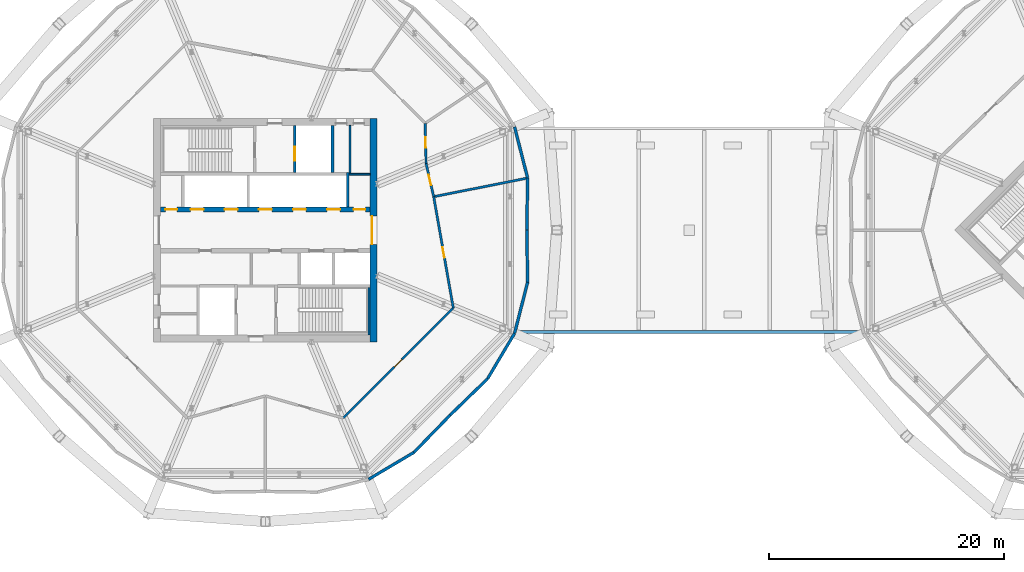
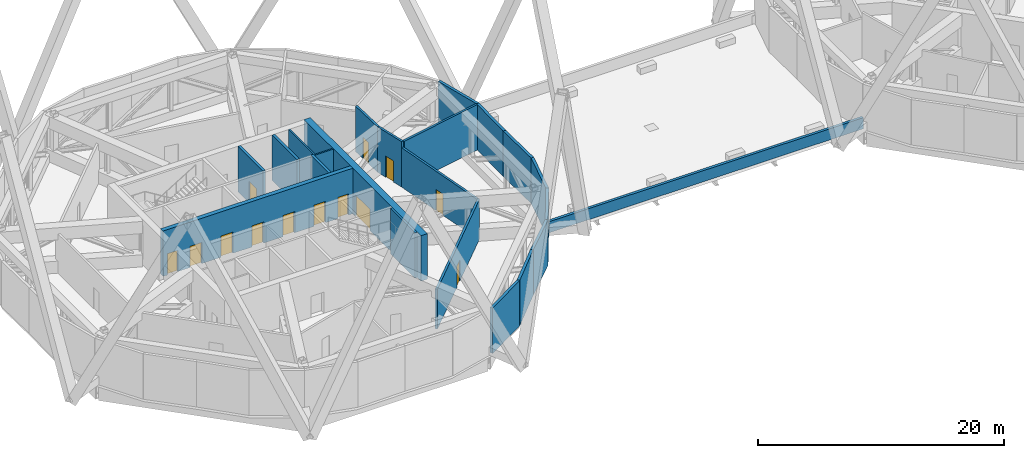
# One storey, part 13 of 20: 22 walls, 13 doors, 13 openings.
"""IFC4 building model written with IfcOpenShell, lengths in metres."""

from ifc_helpers import new_model, si_unit, direction, frame, frame_2d, origin, place, context, subcontext, project, spatial, rectangle, extrude, material, layer, layer_set, type_object, element, fill, save


model = new_model("IFC4")

# Units and contexts
model_context = context("Model", 3, precision=1e-05, world=origin(), true_north=direction((0.0, 1.0)))
body_context = subcontext(model_context, "Body", "Model", "MODEL_VIEW")
ifc_project = project(units=[si_unit("LENGTHUNIT", "METRE"), si_unit("AREAUNIT", "SQUARE_METRE"), si_unit("VOLUMEUNIT", "CUBIC_METRE"), si_unit("PLANEANGLEUNIT", "RADIAN"), si_unit("MASSUNIT", "GRAM", prefix="KILO")], contexts=[model_context])

# Site, building, storey
site_placement = place(None, origin())
site = spatial("IfcSite", under=ifc_project, at=site_placement, CompositionType="ELEMENT")
building_placement = place(site_placement, origin())
building = spatial("IfcBuilding", under=site, at=building_placement, Name="Ogive Gate Towers", CompositionType="ELEMENT")
storey_placement = place(building_placement, frame((0.0, 0.0, 160.800048828125)))
storey = spatial("IfcBuildingStorey", under=building, at=storey_placement, Name="L38", CompositionType="ELEMENT", Elevation=160.800048828125)

# Wall
ifc_material_1 = material(Name="Fire-rated block compartment wall")
ifc_layer_1 = layer(ifc_material_1, 0.199951171875)
ifc_layer_set_1 = layer_set([ifc_layer_1], Name="Compartment wall 200")
wall_type_1 = type_object("IfcWallType", Name="Compartment wall 200", PredefinedType="PARTITIONING", material=ifc_layer_set_1)
wall_1_placement = place(storey_placement, frame((-13.69580078125, 4.428466796875, 0.0), z_axis=(0.0, 0.0, 1.0), x_axis=(-0.980851214843, -0.194758553963, 0.0)))
element("IfcWall", 1, at=wall_1_placement, inside=storey, type_object=wall_type_1, Name="Partition T1-L38-001", PredefinedType="PARTITIONING", context=body_context, shape_type="SweptSolid", body=[
    extrude(rectangle(XDim=8.05908203125, YDim=0.199951171875, at=frame_2d((4.029541015625, 0.0))), origin(), (0.0, 0.0, 1.0), 4.5),
])

# Wall, opening, door
wall_2_placement = place(storey_placement, frame((-29.386962890625, -15.965576171875, 0.0), z_axis=(0.0, 0.0, 1.0), x_axis=(0.707106781187, 0.707106781187, 0.0)))
wall_2 = element("IfcWall", 2, at=wall_2_placement, inside=storey, type_object=wall_type_1, Name="Partition T1-L38-013", PredefinedType="PARTITIONING", context=body_context, shape_type="SweptSolid", body=[
    extrude(rectangle(XDim=13.2265625, YDim=0.199951171875, at=frame_2d((6.61328125, 0.0))), origin(), (0.0, 0.0, 1.0), 3.949951171875),
])
opening_1_placement = place(wall_2_placement, frame((6.14990234375, 0.0, 0.0)))
opening_1 = element("IfcOpeningElement", 3, at=opening_1_placement, cuts=wall_2, Name="Opening T1-L38-D09", PredefinedType="OPENING", context=body_context, shape_type="SweptSolid", body=[
    extrude(rectangle(XDim=0.89990234375, YDim=2.10009765625, at=frame_2d((0.449951171875, 1.050048828125))), frame((0.0, 0.10986328125, 0.0), z_axis=(0.0, -1.0, 0.0), x_axis=(1.0, 0.0, 0.0)), (0.0, 0.0, 1.0), 0.219970703125),
])
ifc_material_2 = material(Name="Steel fire door", Category="steel")
door_type_1 = type_object("IfcDoorType", Name="Fire door 900 FD30S", OperationType="NOTDEFINED", PredefinedType="DOOR", material=ifc_material_2)
door_1_placement = place(opening_1_placement, origin())
door_1 = element("IfcDoor", 4, at=door_1_placement, inside=storey, type_object=door_type_1, Name="Door T1-L38-D09", OperationType="SINGLE_SWING_RIGHT", OverallHeight=2.10009765625, OverallWidth=0.89990234375, PredefinedType="DOOR", context=body_context, shape_type="SweptSolid", body=[
    extrude(rectangle(XDim=0.89990234375, YDim=2.10009765625, at=frame_2d((0.449951171875, 1.050048828125))), frame((0.0, 0.02490234375, 0.0), z_axis=(0.0, -1.0, 0.0), x_axis=(1.0, 0.0, 0.0)), (0.0, 0.0, 1.0), 0.050048828125),
])
fill(opening_1, door_1)

wall_3_placement = place(storey_placement, frame((-20.034423828125, -6.613037109375, 0.0), z_axis=(0.0, 0.0, 1.0), x_axis=(-0.17337611342, 0.984855686532, 0.0)))
wall_3 = element("IfcWall", 5, at=wall_3_placement, inside=storey, type_object=wall_type_1, Name="Partition T1-L38-014", PredefinedType="PARTITIONING", context=body_context, shape_type="SweptSolid", body=[
    extrude(rectangle(XDim=9.597900390625, YDim=0.199951171875, at=frame_2d((4.798828125, 0.0))), origin(), (0.0, 0.0, 1.0), 3.89990234375),
])
opening_2_placement = place(wall_3_placement, frame((4.35009765625, 0.0, 0.0)))
opening_2 = element("IfcOpeningElement", 6, at=opening_2_placement, cuts=wall_3, Name="Opening T1-L38-D10", PredefinedType="OPENING", context=body_context, shape_type="SweptSolid", body=[
    extrude(rectangle(XDim=0.89990234375, YDim=2.10009765625, at=frame_2d((0.449951171875, 1.050048828125))), frame((0.0, 0.10986328125, 0.0), z_axis=(0.0, -1.0, 0.0), x_axis=(1.0, 0.0, 0.0)), (0.0, 0.0, 1.0), 0.219970703125),
])
door_2_placement = place(opening_2_placement, origin())
door_2 = element("IfcDoor", 7, at=door_2_placement, inside=storey, type_object=door_type_1, Name="Door T1-L38-D10", OperationType="SINGLE_SWING_LEFT", OverallHeight=2.10009765625, OverallWidth=0.89990234375, PredefinedType="DOOR", context=body_context, shape_type="SweptSolid", body=[
    extrude(rectangle(XDim=0.89990234375, YDim=2.10009765625, at=frame_2d((0.449951171875, 1.050048828125))), frame((0.0, 0.02490234375, 0.0), z_axis=(0.0, -1.0, 0.0), x_axis=(1.0, 0.0, 0.0)), (0.0, 0.0, 1.0), 0.050048828125),
])
fill(opening_2, door_2)

wall_4_placement = place(storey_placement, frame((-21.698486328125, 2.839599609375, 0.0), z_axis=(0.0, 0.0, 1.0), x_axis=(-0.223366123184, 0.974734617736, 0.0)))
wall_4 = element("IfcWall", 8, at=wall_4_placement, inside=storey, type_object=wall_type_1, Name="Partition T1-L38-015", PredefinedType="PARTITIONING", context=body_context, shape_type="SweptSolid", body=[
    extrude(rectangle(XDim=2.889892578125, YDim=0.199951171875, at=frame_2d((1.44482421875, 0.0))), origin(), (0.0, 0.0, 1.0), 4.5),
])
opening_3_placement = place(wall_4_placement, frame((1.0, 0.0, 0.0)))
opening_3 = element("IfcOpeningElement", 9, at=opening_3_placement, cuts=wall_4, Name="Opening T1-L38-D11", PredefinedType="OPENING", context=body_context, shape_type="SweptSolid", body=[
    extrude(rectangle(XDim=0.89990234375, YDim=2.10009765625, at=frame_2d((0.449951171875, 1.050048828125))), frame((0.0, 0.10986328125, 0.0), z_axis=(0.0, -1.0, 0.0), x_axis=(1.0, 0.0, 0.0)), (0.0, 0.0, 1.0), 0.219970703125),
])
door_3_placement = place(opening_3_placement, origin())
door_3 = element("IfcDoor", 10, at=door_3_placement, inside=storey, type_object=door_type_1, Name="Door T1-L38-D11", OperationType="SINGLE_SWING_RIGHT", OverallHeight=2.10009765625, OverallWidth=0.89990234375, PredefinedType="DOOR", context=body_context, shape_type="SweptSolid", body=[
    extrude(rectangle(XDim=0.89990234375, YDim=2.10009765625, at=frame_2d((0.449951171875, 1.050048828125))), frame((0.0, 0.02490234375, 0.0), z_axis=(0.0, -1.0, 0.0), x_axis=(1.0, 0.0, 0.0)), (0.0, 0.0, 1.0), 0.050048828125),
])
fill(opening_3, door_3)

wall_5_placement = place(storey_placement, frame((-22.343994140625, 5.656494140625, 0.0), z_axis=(0.0, 0.0, 1.0), x_axis=(-0.023616020915, 0.999721102886, 0.0)))
wall_5 = element("IfcWall", 11, at=wall_5_placement, inside=storey, type_object=wall_type_1, Name="Partition T1-L38-016", PredefinedType="PARTITIONING", context=body_context, shape_type="SweptSolid", body=[
    extrude(rectangle(XDim=3.421875, YDim=0.199951171875, at=frame_2d((1.7109375, 0.0))), origin(), (0.0, 0.0, 1.0), 4.5),
])
opening_4_placement = place(wall_5_placement, frame((1.344970703125, 0.0, 0.0)))
opening_4 = element("IfcOpeningElement", 12, at=opening_4_placement, cuts=wall_5, Name="Opening T1-L38-D12", PredefinedType="OPENING", context=body_context, shape_type="SweptSolid", body=[
    extrude(rectangle(XDim=0.89990234375, YDim=2.10009765625, at=frame_2d((0.449951171875, 1.050048828125))), frame((0.0, 0.10986328125, 0.0), z_axis=(0.0, -1.0, 0.0), x_axis=(1.0, 0.0, 0.0)), (0.0, 0.0, 1.0), 0.219970703125),
])
door_4_placement = place(opening_4_placement, origin())
door_4 = element("IfcDoor", 13, at=door_4_placement, inside=storey, type_object=door_type_1, Name="Door T1-L38-D12", OperationType="SINGLE_SWING_LEFT", OverallHeight=2.10009765625, OverallWidth=0.89990234375, PredefinedType="DOOR", context=body_context, shape_type="SweptSolid", body=[
    extrude(rectangle(XDim=0.89990234375, YDim=2.10009765625, at=frame_2d((0.449951171875, 1.050048828125))), frame((0.0, 0.02490234375, 0.0), z_axis=(0.0, -1.0, 0.0), x_axis=(1.0, 0.0, 0.0)), (0.0, 0.0, 1.0), 0.050048828125),
])
fill(opening_4, door_4)

ifc_material_3 = material(Name="Concrete C60/75", Category="concrete")
ifc_layer_2 = layer(ifc_material_3, 0.60009765625)
ifc_layer_set_2 = layer_set([ifc_layer_2], Name="Core wall 600 mm")
wall_type_2 = type_object("IfcWallType", Name="Core wall 600 mm", PredefinedType="SHEAR", material=ifc_layer_set_2)
wall_6_placement = place(storey_placement, frame((-26.800048828125, -9.5, 0.0), z_axis=(0.0, 0.0, 1.0), x_axis=(0.0, 1.0, 0.0)))
wall_6 = element("IfcWall", 14, at=wall_6_placement, inside=storey, type_object=wall_type_2, Name="T1 L38 Core wall 600 mm", PredefinedType="SHEAR", context=body_context, shape_type="SweptSolid", body=[
    extrude(rectangle(XDim=19.0, YDim=0.60009765625, at=frame_2d((9.5, 0.0))), origin(), (0.0, 0.0, 1.0), 4.5),
])
opening_5_placement = place(wall_6_placement, frame((8.300048828125, 0.0, 0.0)))
opening_5 = element("IfcOpeningElement", 15, at=opening_5_placement, cuts=wall_6, Name="Opening KD-T1-L38-02", PredefinedType="OPENING", context=body_context, shape_type="SweptSolid", body=[
    extrude(rectangle(XDim=2.39990234375, YDim=2.10009765625, at=frame_2d((1.199951171875, 1.050048828125))), frame((0.0, 0.31005859375, 0.0), z_axis=(0.0, -1.0, 0.0), x_axis=(1.0, 0.0, 0.0)), (0.0, 0.0, 1.0), 0.6201171875),
])
door_type_2 = type_object("IfcDoorType", Name="Core double door FD60S 2400 x 2100", OperationType="DOUBLE_DOOR_SINGLE_SWING", PredefinedType="DOOR", material=ifc_material_2)
door_5_placement = place(opening_5_placement, origin())
door_5 = element("IfcDoor", 16, at=door_5_placement, inside=storey, type_object=door_type_2, Name="T1 L38 Core door double", OperationType="DOUBLE_DOOR_SINGLE_SWING", OverallHeight=2.10009765625, OverallWidth=2.39990234375, PredefinedType="DOOR", context=body_context, shape_type="SweptSolid", body=[
    extrude(rectangle(XDim=2.39990234375, YDim=2.10009765625, at=frame_2d((1.199951171875, 1.050048828125))), frame((0.0, 0.1748046875, 0.0), z_axis=(0.0, -1.0, 0.0), x_axis=(1.0, 0.0, 0.0)), (0.0, 0.0, 1.0), 0.050048828125),
])
fill(opening_5, door_5)

# Walls
ifc_material_4 = material(Name="Precast concrete C40/50", Category="concrete")
ifc_layer_3 = layer(ifc_material_4, 0.25)
ifc_layer_set_3 = layer_set([ifc_layer_3], Name="Parapet wall 1100")
wall_type_3 = type_object("IfcWallType", Name="Parapet wall 1100", PredefinedType="PARAPET", material=ifc_layer_set_3)
wall_7_placement = place(storey_placement, frame((-14.80615234375, -8.65380859375, 0.0), z_axis=(0.0, 0.0, 1.0), x_axis=(1.0, 0.0, 0.0)))
element("IfcWall", 17, at=wall_7_placement, inside=storey, type_object=wall_type_3, Name="Parapet wall", PredefinedType="PARAPET", context=body_context, shape_type="SweptSolid", body=[
    extrude(rectangle(XDim=29.6123046875, YDim=0.25, at=frame_2d((14.80615234375, 0.0))), origin(), (0.0, 0.0, 1.0), 1.099853515625),
])
ifc_material_5 = material(Name="Pale metal aluminium louvre", Category="aluminium")
ifc_layer_4 = layer(ifc_material_5, 0.25)
ifc_layer_set_4 = layer_set([ifc_layer_4], Name="Plant louvre wall")
wall_type_4 = type_object("IfcWallType", Name="Plant louvre wall", PredefinedType="SOLIDWALL", material=ifc_layer_set_4)
wall_8_placement = place(storey_placement, frame((-13.784912109375, 0.0, 0.0), z_axis=(0.0, 0.0, 1.0), x_axis=(0.014206397031, 0.99989908405, 0.0)))
element("IfcWall", 18, at=wall_8_placement, inside=storey, type_object=wall_type_4, Name="Plant louvre wall", PredefinedType="SOLIDWALL", context=body_context, shape_type="SweptSolid", body=[
    extrude(rectangle(XDim=4.433837890625, YDim=0.25, at=frame_2d((2.216796875, 0.0))), origin(), (0.0, 0.0, 1.0), 4.5),
])
wall_9_placement = place(storey_placement, frame((-13.721923828125, 4.433349609375, 0.0), z_axis=(0.0, 0.0, 1.0), x_axis=(-0.247526000192, 0.968881251356, 0.0)))
element("IfcWall", 19, at=wall_9_placement, inside=storey, type_object=wall_type_4, Name="Plant louvre wall", PredefinedType="SOLIDWALL", context=body_context, shape_type="SweptSolid", body=[
    extrude(rectangle(XDim=4.474853515625, YDim=0.25, at=frame_2d((2.2373046875, 0.0))), origin(), (0.0, 0.0, 1.0), 4.5),
])
wall_10_placement = place(storey_placement, frame((-27.23095703125, -21.17041015625, 0.0), z_axis=(0.0, 0.0, 1.0), x_axis=(0.860119566149, 0.510092473899, 0.0)))
element("IfcWall", 20, at=wall_10_placement, inside=storey, type_object=wall_type_4, Name="Plant louvre wall", PredefinedType="SOLIDWALL", context=body_context, shape_type="SweptSolid", body=[
    extrude(rectangle(XDim=4.47509765625, YDim=0.25, at=frame_2d((2.237548828125, 0.0))), origin(), (0.0, 0.0, 1.0), 4.5),
])
for number, where, z_axis, x_axis, name in (
    (21, (-23.3818359375, -18.8876953125, 0.0), (0.0, 0.0, 1.0), (0.69701391124, 0.717057604058, 0.0), "Plant louvre wall"),
    (22, (-20.29150390625, -15.70849609375, 0.0), (0.0, 0.0, 1.0), (0.717057604058, 0.69701391124, 0.0), "Plant louvre wall"),
):
    element("IfcWall", number, at=place(storey_placement, frame(where, z_axis=z_axis, x_axis=x_axis)), inside=storey, type_object=wall_type_4, Name=name, PredefinedType="SOLIDWALL", context=body_context, shape_type="SweptSolid", body=[
        extrude(rectangle(XDim=4.43359375, YDim=0.25, at=frame_2d((2.216796875, 0.0))), origin(), (0.0, 0.0, 1.0), 4.5),
    ])
wall_11_placement = place(storey_placement, frame((-17.1123046875, -12.6181640625, 0.0), z_axis=(0.0, 0.0, 1.0), x_axis=(0.510092473899, 0.860119566149, 0.0)))
element("IfcWall", 23, at=wall_11_placement, inside=storey, type_object=wall_type_4, Name="Plant louvre wall", PredefinedType="SOLIDWALL", context=body_context, shape_type="SweptSolid", body=[
    extrude(rectangle(XDim=4.47509765625, YDim=0.25, at=frame_2d((2.237548828125, 0.0))), origin(), (0.0, 0.0, 1.0), 4.5),
])
wall_12_placement = place(storey_placement, frame((-14.82958984375, -8.76904296875, 0.0), z_axis=(0.0, 0.0, 1.0), x_axis=(0.247526000192, 0.968881251356, 0.0)))
element("IfcWall", 24, at=wall_12_placement, inside=storey, type_object=wall_type_4, Name="Plant louvre wall", PredefinedType="SOLIDWALL", context=body_context, shape_type="SweptSolid", body=[
    extrude(rectangle(XDim=4.474853515625, YDim=0.25, at=frame_2d((2.2373046875, 0.0))), origin(), (0.0, 0.0, 1.0), 4.5),
])
wall_13_placement = place(storey_placement, frame((-13.721923828125, -4.433349609375, 0.0), z_axis=(0.0, 0.0, 1.0), x_axis=(-0.014206397031, 0.99989908405, 0.0)))
element("IfcWall", 25, at=wall_13_placement, inside=storey, type_object=wall_type_4, Name="Plant louvre wall", PredefinedType="SOLIDWALL", context=body_context, shape_type="SweptSolid", body=[
    extrude(rectangle(XDim=4.433837890625, YDim=0.25, at=frame_2d((2.216796875, 0.0))), origin(), (0.0, 0.0, 1.0), 4.5),
])
ifc_material_6 = material(Name="Gypsum board partition")
ifc_layer_5 = layer(ifc_material_6, 0.14990234375)
ifc_layer_set_5 = layer_set([ifc_layer_5], Name="Room partition 150 mm")
wall_type_5 = type_object("IfcWallType", Name="Room partition 150 mm", PredefinedType="PARTITIONING", material=ifc_layer_set_5)
wall_14_placement = place(storey_placement, frame((-28.875, 4.75, 0.0), z_axis=(0.0, 0.0, 1.0), x_axis=(1.0, 0.0, 0.0)))
element("IfcWall", 26, at=wall_14_placement, inside=storey, type_object=wall_type_5, Name="T1 L38 Room partition 150 mm", PredefinedType="PARTITIONING", context=body_context, shape_type="SweptSolid", body=[
    extrude(rectangle(XDim=1.77490234375, YDim=0.14990234375, at=frame_2d((0.887451171875, 0.0))), origin(), (0.0, 0.0, 1.0), 4.5),
])
wall_15_placement = place(storey_placement, frame((-28.800048828125, 4.824951171875, 0.0), z_axis=(0.0, 0.0, 1.0), x_axis=(0.0, 1.0, 0.0)))
element("IfcWall", 27, at=wall_15_placement, inside=storey, type_object=wall_type_5, Name="T1 L38 Room partition 150 mm", PredefinedType="PARTITIONING", context=body_context, shape_type="SweptSolid", body=[
    extrude(rectangle(XDim=4.074951171875, YDim=0.14990234375, at=frame_2d((2.03759765625, 0.0))), origin(), (0.0, 0.0, 1.0), 4.5),
])

# Wall, opening, door
ifc_layer_6 = layer(ifc_material_3, 0.25)
ifc_layer_set_6 = layer_set([ifc_layer_6], Name="Shaft wall 250 mm")
wall_type_6 = type_object("IfcWallType", Name="Shaft wall 250 mm", PredefinedType="SHEAR", material=ifc_layer_set_6)
wall_16_placement = place(storey_placement, frame((-33.5, 4.875, 0.0), z_axis=(0.0, 0.0, 1.0), x_axis=(0.0, 1.0, 0.0)))
wall_16 = element("IfcWall", 28, at=wall_16_placement, inside=storey, type_object=wall_type_6, Name="T1 L38 Shaft wall 250 mm", PredefinedType="SHEAR", context=body_context, shape_type="SweptSolid", body=[
    extrude(rectangle(XDim=4.02490234375, YDim=0.25, at=frame_2d((2.012451171875, 0.0))), origin(), (0.0, 0.0, 1.0), 4.5),
])
opening_6_placement = place(wall_16_placement, frame((1.02490234375, 0.0, 0.0)))
opening_6 = element("IfcOpeningElement", 29, at=opening_6_placement, cuts=wall_16, Name="Opening LD-T1-L38-12", PredefinedType="OPENING", context=body_context, shape_type="SweptSolid", body=[
    extrude(rectangle(XDim=1.199951171875, YDim=2.10009765625, at=frame_2d((0.60009765625, 1.050048828125))), frame((0.0, 0.135009765625, 0.0), z_axis=(0.0, -1.0, 0.0), x_axis=(1.0, 0.0, 0.0)), (0.0, 0.0, 1.0), 0.27001953125),
])
ifc_material_7 = material(Name="Stainless steel landing door", Category="steel")
door_type_3 = type_object("IfcDoorType", Name="Landing door 1200 x 2100", OperationType="SLIDING_TO_LEFT", PredefinedType="DOOR", material=ifc_material_7)
door_6_placement = place(opening_6_placement, origin())
door_6 = element("IfcDoor", 30, at=door_6_placement, inside=storey, type_object=door_type_3, Name="T1 L38 Lift landing door FF1", OperationType="SLIDING_TO_LEFT", OverallHeight=2.10009765625, OverallWidth=1.199951171875, PredefinedType="DOOR", context=body_context, shape_type="SweptSolid", body=[
    extrude(rectangle(XDim=1.199951171875, YDim=2.10009765625, at=frame_2d((0.60009765625, 1.050048828125))), frame((0.0, 0.02490234375, 0.0), z_axis=(0.0, -1.0, 0.0), x_axis=(1.0, 0.0, 0.0)), (0.0, 0.0, 1.0), 0.050048828125),
])
fill(opening_6, door_6)

# Walls
wall_17_placement = place(storey_placement, frame((-30.300048828125, 4.875, 0.0), z_axis=(0.0, 0.0, 1.0), x_axis=(0.0, 1.0, 0.0)))
element("IfcWall", 31, at=wall_17_placement, inside=storey, type_object=wall_type_6, Name="T1 L38 Shaft wall 250 mm", PredefinedType="SHEAR", context=body_context, shape_type="SweptSolid", body=[
    extrude(rectangle(XDim=4.02490234375, YDim=0.25, at=frame_2d((2.012451171875, 0.0))), origin(), (0.0, 0.0, 1.0), 4.5),
])
wall_18_placement = place(storey_placement, frame((-29.0, 1.949951171875, 0.0), z_axis=(0.0, 0.0, 1.0), x_axis=(0.0, 1.0, 0.0)))
element("IfcWall", 32, at=wall_18_placement, inside=storey, type_object=wall_type_6, Name="T1 L38 Shaft wall 250 mm", PredefinedType="SHEAR", context=body_context, shape_type="SweptSolid", body=[
    extrude(rectangle(XDim=2.925048828125, YDim=0.25, at=frame_2d((1.46240234375, 0.0))), origin(), (0.0, 0.0, 1.0), 4.5),
])

# Wall, openings, doors
ifc_layer_7 = layer(ifc_material_3, 0.39990234375)
ifc_layer_set_7 = layer_set([ifc_layer_7], Name="Spine wall 400 mm")
wall_type_7 = type_object("IfcWallType", Name="Spine wall 400 mm", PredefinedType="SHEAR", material=ifc_layer_set_7)
wall_19_placement = place(storey_placement, frame((-44.89990234375, 1.75, 0.0), z_axis=(0.0, 0.0, 1.0), x_axis=(1.0, 0.0, 0.0)))
wall_19 = element("IfcWall", 33, at=wall_19_placement, inside=storey, type_object=wall_type_7, Name="T1 L38 Spine wall 400 mm", PredefinedType="SHEAR", context=body_context, shape_type="SweptSolid", body=[
    extrude(rectangle(XDim=17.7998046875, YDim=0.39990234375, at=frame_2d((8.89990234375, 0.0))), origin(), (0.0, 0.0, 1.0), 4.5),
])
opening_7_placement = place(wall_19_placement, frame((0.39990234375, 0.0, 0.0)))
opening_7 = element("IfcOpeningElement", 34, at=opening_7_placement, cuts=wall_19, Name="Opening KD-T1-L38-03", PredefinedType="OPENING", context=body_context, shape_type="SweptSolid", body=[
    extrude(rectangle(XDim=1.0, YDim=2.10009765625, at=frame_2d((0.5, 1.050048828125))), frame((0.0, 0.2099609375, 0.0), z_axis=(0.0, -1.0, 0.0), x_axis=(1.0, 0.0, 0.0)), (0.0, 0.0, 1.0), 0.419921875),
])
opening_8_placement = place(wall_19_placement, frame((2.550048828125, 0.0, 0.0)))
opening_8 = element("IfcOpeningElement", 35, at=opening_8_placement, cuts=wall_19, Name="Opening LD-T1-L38-04", PredefinedType="OPENING", context=body_context, shape_type="SweptSolid", body=[
    extrude(rectangle(XDim=1.10009765625, YDim=2.10009765625, at=frame_2d((0.550048828125, 1.050048828125))), frame((0.0, 0.2099609375, 0.0), z_axis=(0.0, -1.0, 0.0), x_axis=(1.0, 0.0, 0.0)), (0.0, 0.0, 1.0), 0.419921875),
])
opening_9_placement = place(wall_19_placement, frame((5.449951171875, 0.0, 0.0)))
opening_9 = element("IfcOpeningElement", 36, at=opening_9_placement, cuts=wall_19, Name="Opening LD-T1-L38-05", PredefinedType="OPENING", context=body_context, shape_type="SweptSolid", body=[
    extrude(rectangle(XDim=1.10009765625, YDim=2.10009765625, at=frame_2d((0.550048828125, 1.050048828125))), frame((0.0, 0.2099609375, 0.0), z_axis=(0.0, -1.0, 0.0), x_axis=(1.0, 0.0, 0.0)), (0.0, 0.0, 1.0), 0.419921875),
])
opening_10_placement = place(wall_19_placement, frame((8.35009765625, 0.0, 0.0)))
opening_10 = element("IfcOpeningElement", 37, at=opening_10_placement, cuts=wall_19, Name="Opening LD-T1-L38-06", PredefinedType="OPENING", context=body_context, shape_type="SweptSolid", body=[
    extrude(rectangle(XDim=1.10009765625, YDim=2.10009765625, at=frame_2d((0.550048828125, 1.050048828125))), frame((0.0, 0.2099609375, 0.0), z_axis=(0.0, -1.0, 0.0), x_axis=(1.0, 0.0, 0.0)), (0.0, 0.0, 1.0), 0.419921875),
])
opening_11_placement = place(wall_19_placement, frame((11.25, 0.0, 0.0)))
opening_11 = element("IfcOpeningElement", 38, at=opening_11_placement, cuts=wall_19, Name="Opening LD-T1-L38-07", PredefinedType="OPENING", context=body_context, shape_type="SweptSolid", body=[
    extrude(rectangle(XDim=1.10009765625, YDim=2.10009765625, at=frame_2d((0.550048828125, 1.050048828125))), frame((0.0, 0.2099609375, 0.0), z_axis=(0.0, -1.0, 0.0), x_axis=(1.0, 0.0, 0.0)), (0.0, 0.0, 1.0), 0.419921875),
])
opening_12_placement = place(wall_19_placement, frame((14.14990234375, 0.0, 0.0)))
opening_12 = element("IfcOpeningElement", 39, at=opening_12_placement, cuts=wall_19, Name="Opening LD-T1-L38-08", PredefinedType="OPENING", context=body_context, shape_type="SweptSolid", body=[
    extrude(rectangle(XDim=1.10009765625, YDim=2.10009765625, at=frame_2d((0.550048828125, 1.050048828125))), frame((0.0, 0.2099609375, 0.0), z_axis=(0.0, -1.0, 0.0), x_axis=(1.0, 0.0, 0.0)), (0.0, 0.0, 1.0), 0.419921875),
])
opening_13_placement = place(wall_19_placement, frame((16.39990234375, 0.0, 0.0)))
opening_13 = element("IfcOpeningElement", 40, at=opening_13_placement, cuts=wall_19, Name="Opening KD-T1-L38-09", PredefinedType="OPENING", context=body_context, shape_type="SweptSolid", body=[
    extrude(rectangle(XDim=1.0, YDim=2.10009765625, at=frame_2d((0.5, 1.050048828125))), frame((0.0, 0.2099609375, 0.0), z_axis=(0.0, -1.0, 0.0), x_axis=(1.0, 0.0, 0.0)), (0.0, 0.0, 1.0), 0.419921875),
])
door_type_4 = type_object("IfcDoorType", Name="Core door FD60S 1000 x 2100", OperationType="NOTDEFINED", PredefinedType="DOOR", material=ifc_material_2)
door_7_placement = place(opening_7_placement, origin())
door_7 = element("IfcDoor", 41, at=door_7_placement, inside=storey, type_object=door_type_4, Name="T1 L38 Core door", OperationType="SINGLE_SWING_RIGHT", OverallHeight=2.10009765625, OverallWidth=1.0, PredefinedType="DOOR", context=body_context, shape_type="SweptSolid", body=[
    extrude(rectangle(XDim=1.0, YDim=2.10009765625, at=frame_2d((0.5, 1.050048828125))), frame((0.0, 0.02490234375, 0.0), z_axis=(0.0, -1.0, 0.0), x_axis=(1.0, 0.0, 0.0)), (0.0, 0.0, 1.0), 0.050048828125),
])
fill(opening_7, door_7)
door_8_placement = place(opening_13_placement, origin())
door_8 = element("IfcDoor", 42, at=door_8_placement, inside=storey, type_object=door_type_4, Name="T1 L38 Core door", OperationType="SINGLE_SWING_RIGHT", OverallHeight=2.10009765625, OverallWidth=1.0, PredefinedType="DOOR", context=body_context, shape_type="SweptSolid", body=[
    extrude(rectangle(XDim=1.0, YDim=2.10009765625, at=frame_2d((0.5, 1.050048828125))), frame((0.0, 0.02490234375, 0.0), z_axis=(0.0, -1.0, 0.0), x_axis=(1.0, 0.0, 0.0)), (0.0, 0.0, 1.0), 0.050048828125),
])
fill(opening_13, door_8)
door_type_5 = type_object("IfcDoorType", Name="Landing door 1100 x 2100", OperationType="SLIDING_TO_LEFT", PredefinedType="DOOR", material=ifc_material_7)
door_9_placement = place(opening_8_placement, origin())
door_9 = element("IfcDoor", 43, at=door_9_placement, inside=storey, type_object=door_type_5, Name="T1 L38 Lift landing door B1", OperationType="SLIDING_TO_LEFT", OverallHeight=2.10009765625, OverallWidth=1.10009765625, PredefinedType="DOOR", context=body_context, shape_type="SweptSolid", body=[
    extrude(rectangle(XDim=1.10009765625, YDim=2.10009765625, at=frame_2d((0.550048828125, 1.050048828125))), frame((0.0, 0.02490234375, 0.0), z_axis=(0.0, -1.0, 0.0), x_axis=(1.0, 0.0, 0.0)), (0.0, 0.0, 1.0), 0.050048828125),
])
fill(opening_8, door_9)
door_10_placement = place(opening_9_placement, origin())
door_10 = element("IfcDoor", 44, at=door_10_placement, inside=storey, type_object=door_type_5, Name="T1 L38 Lift landing door B2", OperationType="SLIDING_TO_LEFT", OverallHeight=2.10009765625, OverallWidth=1.10009765625, PredefinedType="DOOR", context=body_context, shape_type="SweptSolid", body=[
    extrude(rectangle(XDim=1.10009765625, YDim=2.10009765625, at=frame_2d((0.550048828125, 1.050048828125))), frame((0.0, 0.02490234375, 0.0), z_axis=(0.0, -1.0, 0.0), x_axis=(1.0, 0.0, 0.0)), (0.0, 0.0, 1.0), 0.050048828125),
])
fill(opening_9, door_10)
door_11_placement = place(opening_10_placement, origin())
door_11 = element("IfcDoor", 45, at=door_11_placement, inside=storey, type_object=door_type_5, Name="T1 L38 Lift landing door B3", OperationType="SLIDING_TO_LEFT", OverallHeight=2.10009765625, OverallWidth=1.10009765625, PredefinedType="DOOR", context=body_context, shape_type="SweptSolid", body=[
    extrude(rectangle(XDim=1.10009765625, YDim=2.10009765625, at=frame_2d((0.550048828125, 1.050048828125))), frame((0.0, 0.02490234375, 0.0), z_axis=(0.0, -1.0, 0.0), x_axis=(1.0, 0.0, 0.0)), (0.0, 0.0, 1.0), 0.050048828125),
])
fill(opening_10, door_11)
door_12_placement = place(opening_11_placement, origin())
door_12 = element("IfcDoor", 46, at=door_12_placement, inside=storey, type_object=door_type_5, Name="T1 L38 Lift landing door B4", OperationType="SLIDING_TO_LEFT", OverallHeight=2.10009765625, OverallWidth=1.10009765625, PredefinedType="DOOR", context=body_context, shape_type="SweptSolid", body=[
    extrude(rectangle(XDim=1.10009765625, YDim=2.10009765625, at=frame_2d((0.550048828125, 1.050048828125))), frame((0.0, 0.02490234375, 0.0), z_axis=(0.0, -1.0, 0.0), x_axis=(1.0, 0.0, 0.0)), (0.0, 0.0, 1.0), 0.050048828125),
])
fill(opening_11, door_12)
door_13_placement = place(opening_12_placement, origin())
door_13 = element("IfcDoor", 47, at=door_13_placement, inside=storey, type_object=door_type_5, Name="T1 L38 Lift landing door B5", OperationType="SLIDING_TO_LEFT", OverallHeight=2.10009765625, OverallWidth=1.10009765625, PredefinedType="DOOR", context=body_context, shape_type="SweptSolid", body=[
    extrude(rectangle(XDim=1.10009765625, YDim=2.10009765625, at=frame_2d((0.550048828125, 1.050048828125))), frame((0.0, 0.02490234375, 0.0), z_axis=(0.0, -1.0, 0.0), x_axis=(1.0, 0.0, 0.0)), (0.0, 0.0, 1.0), 0.050048828125),
])
fill(opening_12, door_13)

# Wall
ifc_layer_8 = layer(ifc_material_3, 0.199951171875)
ifc_layer_set_8 = layer_set([ifc_layer_8], Name="Stair wall 200 mm")
wall_type_8 = type_object("IfcWallType", Name="Stair wall 200 mm", PredefinedType="SHEAR", material=ifc_layer_set_8)
wall_20_placement = place(storey_placement, frame((-27.199951171875, -8.89990234375, 0.0), z_axis=(0.0, 0.0, 1.0), x_axis=(0.0, 1.0, 0.0)))
element("IfcWall", 48, at=wall_20_placement, inside=storey, type_object=wall_type_8, Name="T1 L38 Stair wall 200 mm", PredefinedType="SHEAR", context=body_context, shape_type="SweptSolid", body=[
    extrude(rectangle(XDim=4.02490234375, YDim=0.199951171875, at=frame_2d((2.012451171875, 0.0))), origin(), (0.0, 0.0, 1.0), 4.5),
])

save(model, "model.ifc")
